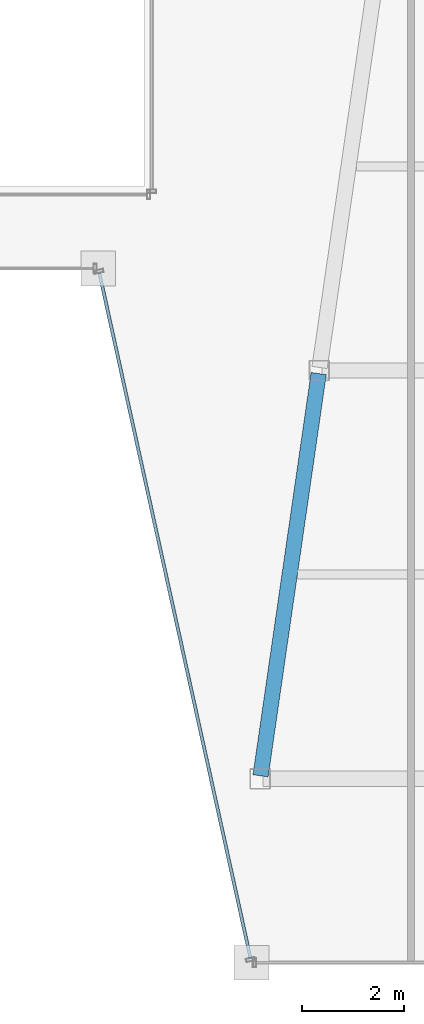
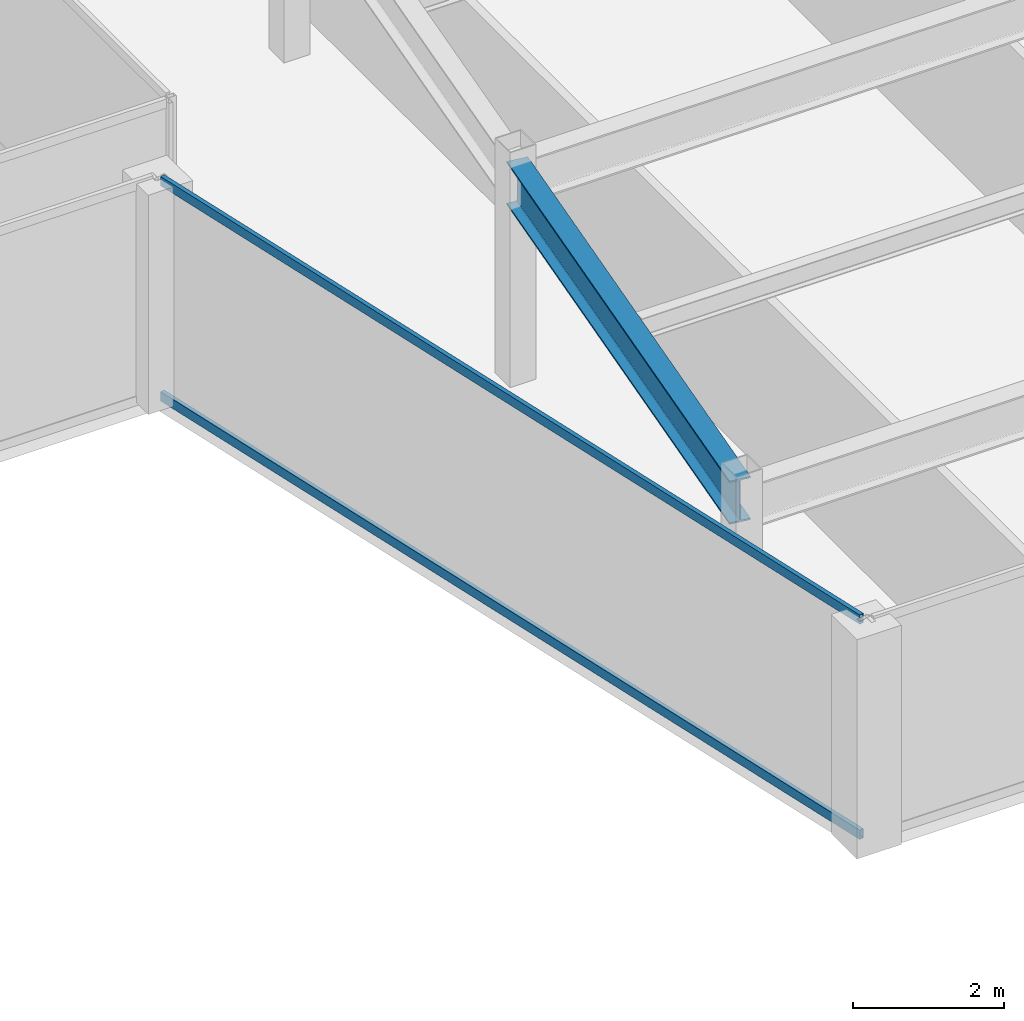
# One storey, part 17 of 36: 2 members, 1 beam, 1 element without a shape of its own.
"""IFC4 building model written with IfcOpenShell, lengths in metres."""

import ifcopenshell
import ifcopenshell.guid

model = None  # the IFC model being written
_history = None  # IfcOwnerHistory: only IFC2X3 demands one
_inside = {}  # id of a spatial element -> (the spatial element, [elements in it])
_under = {}  # id of a project, library or spatial element -> (it, [spatial elements below it])
_declared = {}  # id of a project -> (the project, [libraries it declares])
_typed = {}  # id of a type object -> (the type object, [elements of that type])
_made_of = {}  # id of a material, layer set ... -> (it, [elements and type objects made of it])


def new_model(schema):
    """Start an empty IFC model of exactly this schema.

    Asked for "IFC4X3", IfcOpenShell would pick the latest addendum, in which some entities
    have other attributes; the version numbers below select the first issue.
    IFC2X3 requires an IfcOwnerHistory on every rooted entity: one is made here for all.
    """
    global model, _history
    if schema == "IFC4X3":
        model = ifcopenshell.file(schema_version=(4, 3, 0, 0))
    else:
        model = ifcopenshell.file(schema=schema)
    _inside.clear()
    _under.clear()
    _declared.clear()
    _typed.clear()
    _made_of.clear()
    _history = None
    if model.schema == "IFC2X3":
        org = make("IfcOrganization", Name="unknown")
        user = make(
            "IfcPersonAndOrganization",
            ThePerson=make("IfcPerson", FamilyName="unknown"),
            TheOrganization=org,
        )
        app = make(
            "IfcApplication",
            ApplicationDeveloper=org,
            Version="unknown",
            ApplicationFullName="unknown",
            ApplicationIdentifier="unknown",
        )
        _history = make(
            "IfcOwnerHistory",
            OwningUser=user,
            OwningApplication=app,
            ChangeAction="ADDED",
            CreationDate=0,
        )
    return model


def make(cls, **values):
    """One entity of the class cls with the attributes given. An attribute that is None is left unset."""
    return model.create_entity(
        cls, **{name: value for name, value in values.items() if value is not None}
    )


def rooted(cls, **values):
    """An entity with a GlobalId (a new one), such as an element, a storey or a relation."""
    return make(cls, GlobalId=ifcopenshell.guid.new(), OwnerHistory=_history, **values)


def si_unit(unit_type, name, prefix=None):
    """IfcSIUnit, for example si_unit("LENGTHUNIT", "METRE", prefix="MILLI")."""
    return make("IfcSIUnit", UnitType=unit_type, Prefix=prefix, Name=name)


def assignment(units):
    """IfcUnitAssignment: the units of a project."""
    return None if units is None else make("IfcUnitAssignment", Units=units)


def point(xyz):
    """IfcCartesianPoint."""
    return None if xyz is None else make("IfcCartesianPoint", Coordinates=xyz)


def direction(xyz):
    """IfcDirection."""
    return None if xyz is None else make("IfcDirection", DirectionRatios=xyz)


def frame(location, z_axis=None, x_axis=None):
    """IfcAxis2Placement3D, a coordinate frame: its origin and axes. An axis left out is left unset."""
    return make(
        "IfcAxis2Placement3D",
        Location=point(location),
        Axis=direction(z_axis),
        RefDirection=direction(x_axis),
    )


def frame_2d(location, x_axis=None):
    """IfcAxis2Placement2D, a coordinate frame in the plane: its origin and x axis."""
    return make(
        "IfcAxis2Placement2D", Location=point(location), RefDirection=direction(x_axis)
    )


def origin():
    """The frame at (0, 0, 0) with its axes left unset."""
    return frame((0.0, 0.0, 0.0))


def origin_2d():
    """The frame at (0, 0) in the plane with its x axis left unset."""
    return frame_2d((0.0, 0.0))


def place(relative_to, where):
    """IfcLocalPlacement: puts the frame where relative to a parent placement (None: the world)."""
    return make(
        "IfcLocalPlacement", PlacementRelTo=relative_to, RelativePlacement=where
    )


def context(
    kind, dimensions, precision=None, world=None, true_north=None, identifier=None
):
    """IfcGeometricRepresentationContext, for example the 3D "Model" context."""
    return make(
        "IfcGeometricRepresentationContext",
        ContextIdentifier=identifier,
        ContextType=kind,
        CoordinateSpaceDimension=dimensions,
        Precision=precision,
        WorldCoordinateSystem=world,
        TrueNorth=true_north,
    )


def subcontext(parent, identifier, kind, view, scale=None):
    """IfcGeometricRepresentationSubContext, for example "Body" below "Model"."""
    return make(
        "IfcGeometricRepresentationSubContext",
        ContextIdentifier=identifier,
        ContextType=kind,
        ParentContext=parent,
        TargetScale=scale,
        TargetView=view,
    )


def project(units=None, contexts=None):
    """IfcProject with its units and contexts."""
    return rooted(
        "IfcProject",
        Name="project",
        RepresentationContexts=contexts,
        UnitsInContext=assignment(units),
    )


def spatial(cls, under=None, at=None, **own):
    """A site, building, storey or space (cls), placed at a placement, below another one or the project."""
    s = rooted(cls, ObjectPlacement=at, **own)
    if under is not None:
        _under.setdefault(under.id(), (under, []))[1].append(s)
    return s


def profile(cls, at=None, kind="AREA", **sizes):
    """A parametric profile (cls). Its sizes go by their IFC names, for example OverallWidth=200.0."""
    return make(cls, ProfileType=kind, Position=at, **sizes)


def hollow_rectangle(**sizes):
    """IfcRectangleHollowProfileDef."""
    return profile("IfcRectangleHollowProfileDef", **sizes)


def i_section(**sizes):
    """IfcIShapeProfileDef."""
    return profile("IfcIShapeProfileDef", **sizes)


def extrude(swept, where, along, depth):
    """IfcExtrudedAreaSolid: the profile swept, set in the frame where, extruded along a direction by depth."""
    return make(
        "IfcExtrudedAreaSolid",
        SweptArea=swept,
        Position=where,
        ExtrudedDirection=direction(along),
        Depth=depth,
    )


def shape(context_of_items, identifier, shape_type, items):
    """IfcShapeRepresentation: the items that make up one representation, for example the "Body"."""
    return make(
        "IfcShapeRepresentation",
        ContextOfItems=context_of_items,
        RepresentationIdentifier=identifier,
        RepresentationType=shape_type,
        Items=items,
    )


def material(Name=None, Category=None):
    """IfcMaterial."""
    return make("IfcMaterial", Name=Name, Category=Category)


def material_profile(
    of_material, cross_section, Name=None, Category=None, Priority=None
):
    """IfcMaterialProfile: a cross section and its material."""
    return make(
        "IfcMaterialProfile",
        Name=Name,
        Material=of_material,
        Profile=cross_section,
        Priority=Priority,
        Category=Category,
    )


def profile_set(profiles, Name=None, composite=None):
    """IfcMaterialProfileSet."""
    return make(
        "IfcMaterialProfileSet",
        Name=Name,
        MaterialProfiles=profiles,
        CompositeProfile=composite,
    )


def made_of(thing, what):
    """Note that an element or type object is made of a material, layer set ...; save() writes the relation."""
    if what is not None:
        _made_of.setdefault(what.id(), (what, []))[1].append(thing)
    return thing


def type_object(cls, material=None, **own):
    """A type object (cls), such as IfcWallType, which elements share."""
    return made_of(rooted(cls, **own), material)


def element(
    cls,
    number,
    at=None,
    inside=None,
    cuts=None,
    type_object=None,
    material=None,
    context=None,
    identifier="Body",
    shape_type=None,
    held_by="IfcProductDefinitionShape",
    body=None,
    shapes=None,
    **own,
):
    """One element of the class cls, such as IfcWall. Its Tag is "e" and its number.

    at: its placement. inside: the storey or other place that contains it. cuts: it is an
    opening in that element (IfcRelVoidsElement). A single representation is given by context,
    identifier, shape_type and body (its items); several are given by shapes. held_by: the class
    of the entity that holds the representations. save() writes the other relations.
    """
    e = rooted(cls, Tag="e%d" % number, ObjectPlacement=at, **own)
    if body is not None:
        shapes = [shape(context, identifier, shape_type, body)]
    if shapes is not None:
        e.Representation = make(held_by, Representations=shapes)
    if inside is not None:
        _inside.setdefault(inside.id(), (inside, []))[1].append(e)
    if cuts is not None:
        rooted(
            "IfcRelVoidsElement", RelatingBuildingElement=cuts, RelatedOpeningElement=e
        )
    if type_object is not None:
        _typed.setdefault(type_object.id(), (type_object, []))[1].append(e)
    return made_of(e, material)


def aggregate(whole, parts):
    """IfcRelAggregates: a whole, such as a stair, and the parts it consists of."""
    return rooted("IfcRelAggregates", RelatingObject=whole, RelatedObjects=parts)


def save(model, path):
    """Write the relations noted so far, then the file.

    IfcRelAggregates (storeys below a building ...), IfcRelContainedInSpatialStructure (elements
    in a storey), IfcRelDefinesByType, IfcRelAssociatesMaterial and IfcRelDeclares: one each for
    every whole, place, type object, material and project.
    """
    for whole, parts in _under.values():
        aggregate(whole, parts)
    for where, things in _inside.values():
        rooted(
            "IfcRelContainedInSpatialStructure",
            RelatedElements=things,
            RelatingStructure=where,
        )
    for kind, things in _typed.values():
        rooted("IfcRelDefinesByType", RelatedObjects=things, RelatingType=kind)
    for what, things in _made_of.values():
        rooted("IfcRelAssociatesMaterial", RelatedObjects=things, RelatingMaterial=what)
    for by, libraries in _declared.values():
        rooted("IfcRelDeclares", RelatingContext=by, RelatedDefinitions=libraries)
    model.write(path)


model = new_model("IFC4")

# Units and contexts
model_context = context("Model", 3, precision=1e-05, world=origin(), true_north=direction((0.0, 1.0)))
body_context = subcontext(model_context, "Body", "Model", "MODEL_VIEW")
ifc_project = project(units=[si_unit("LENGTHUNIT", "METRE"), si_unit("AREAUNIT", "SQUARE_METRE"), si_unit("VOLUMEUNIT", "CUBIC_METRE"), si_unit("PLANEANGLEUNIT", "RADIAN"), si_unit("MASSUNIT", "GRAM", prefix="KILO")], contexts=[model_context])

# Site, building, storey
site_placement = place(None, origin())
site = spatial("IfcSite", under=ifc_project, at=site_placement, CompositionType="ELEMENT")
building_placement = place(site_placement, origin())
building = spatial("IfcBuilding", under=site, at=building_placement, Name="Saevonmaru Cultural Tower", CompositionType="ELEMENT")
storey_placement = place(building_placement, frame((0.0, 0.0, 182.800048828125)))
storey = spatial("IfcBuildingStorey", under=building, at=storey_placement, Name="L41", CompositionType="ELEMENT", Elevation=182.800048828125)

# Beam
ifc_material_1 = material(Name="Steel SM355", Category="steel")
ifc_material_profile_1 = material_profile(ifc_material_1, i_section(OverallWidth=0.300048828125, OverallDepth=0.699951171875, WebThickness=0.012939453125, FlangeThickness=0.02392578125, FilletRadius=0.02587890625, at=origin_2d()), Name="H-700x300x13x24")
ifc_profile_set_1 = profile_set([ifc_material_profile_1], Name="Steel SM355")
beam_type = type_object("IfcBeamType", Name="BM-G-H700", PredefinedType="BEAM", material=ifc_profile_set_1)
beam_placement = place(storey_placement, frame((38.08056640625, 16.059326171875, 3.199951171875), z_axis=(0.143022161059, 0.989719486241, 0.0), x_axis=(-0.989719486241, 0.143022161059, 0.0)))
element("IfcBeam", 1, at=beam_placement, inside=storey, type_object=beam_type, Name="L41 East Atrium Girder 1", PredefinedType="BEAM", context=body_context, shape_type="SweptSolid", body=[
    extrude(i_section(OverallWidth=0.300048828125, OverallDepth=0.699951171875, WebThickness=0.012939453125, FlangeThickness=0.02392578125, FilletRadius=0.02587890625, at=origin_2d()), origin(), (0.0, 0.0, 1.0), 7.963134765625),
])

# Curtain wall, members
ifc_material_2 = material(Name="Satin Bronze Anodised Aluminium", Category="aluminium")
curtain_wall_type = type_object("IfcCurtainWallType", Name="CW-TYP-B", PredefinedType="NOTDEFINED", material=ifc_material_2)
curtain_wall_placement = place(storey_placement, origin())
curtain_wall = element("IfcCurtainWall", 2, at=curtain_wall_placement, inside=storey, type_object=curtain_wall_type, Name="L41 Unitised Curtain Wall E5", PredefinedType="NOTDEFINED")
ifc_material_profile_2 = material_profile(ifc_material_2, hollow_rectangle(XDim=0.06494140625, YDim=0.14990234375, WallThickness=0.00390625, at=origin_2d()), Name="ALU-TRAN-150x65x4")
ifc_profile_set_2 = profile_set([ifc_material_profile_2], Name="Satin Bronze Anodised Aluminium")
member_type = type_object("IfcMemberType", Name="TR-CW-150x65", PredefinedType="USERDEFINED", material=ifc_profile_set_2)
member_1_placement = place(storey_placement, frame((34.922119140625, 25.90966796875, 0.032470703125), z_axis=(0.21541214732, -0.976523223885, 0.0), x_axis=(0.976523223885, 0.21541214732, 0.0)))
member_1 = element("IfcMember", 3, at=member_1_placement, type_object=member_type, Name="CW-TW-L41-E5 transom 1.1", ObjectType="TRANSOM", PredefinedType="USERDEFINED", context=body_context, shape_type="SweptSolid", body=[
    extrude(hollow_rectangle(XDim=0.06494140625, YDim=0.14990234375, WallThickness=0.00390625, at=origin_2d()), origin(), (0.0, 0.0, 1.0), 13.741943359375),
])
member_2_placement = place(storey_placement, frame((34.922119140625, 25.90966796875, 3.517333984375), z_axis=(0.21541214732, -0.976523223885, 0.0), x_axis=(0.976523223885, 0.21541214732, 0.0)))
member_2 = element("IfcMember", 4, at=member_2_placement, type_object=member_type, Name="CW-TW-L41-E5 transom 1.2", ObjectType="TRANSOM", PredefinedType="USERDEFINED", context=body_context, shape_type="SweptSolid", body=[
    extrude(hollow_rectangle(XDim=0.06494140625, YDim=0.14990234375, WallThickness=0.00390625, at=origin_2d()), origin(), (0.0, 0.0, 1.0), 13.741943359375),
])
aggregate(curtain_wall, [member_1, member_2])

save(model, "model.ifc")
